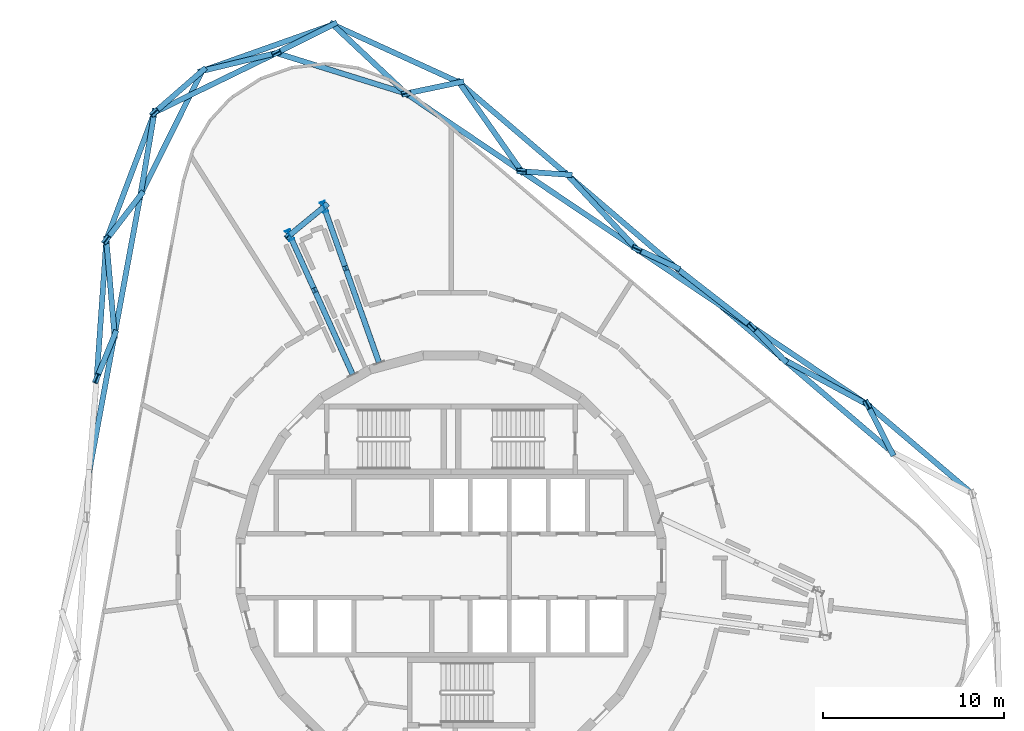
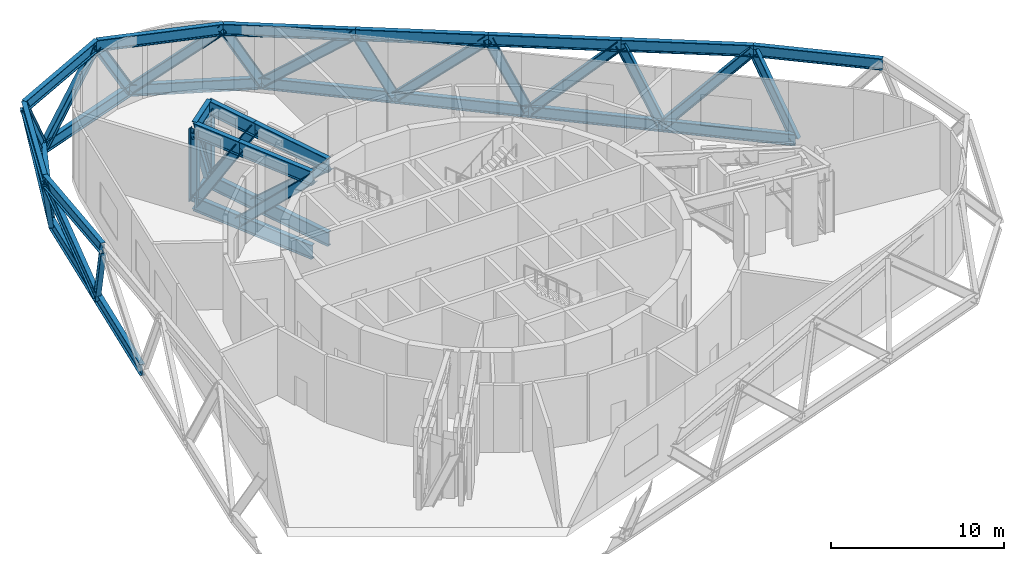
# One storey, part 3 of 12: 52 members.
"""IFC4 building model written with IfcOpenShell, lengths in metres."""

from ifc_helpers import new_model, si_unit, direction, frame, origin, origin_2d, place, context, subcontext, project, spatial, i_section, extrude, material, material_profile, profile_set, type_object, element, save


model = new_model("IFC4")

# Units and contexts
model_context = context("Model", 3, precision=1e-05, world=origin(), true_north=direction((0.0, 1.0)))
body_context = subcontext(model_context, "Body", "Model", "MODEL_VIEW")
ifc_project = project(units=[si_unit("LENGTHUNIT", "METRE"), si_unit("AREAUNIT", "SQUARE_METRE"), si_unit("VOLUMEUNIT", "CUBIC_METRE"), si_unit("PLANEANGLEUNIT", "RADIAN"), si_unit("MASSUNIT", "GRAM", prefix="KILO")], contexts=[model_context])

# Site, building, storey
site_placement = place(None, origin())
site = spatial("IfcSite", under=ifc_project, at=site_placement, CompositionType="ELEMENT")
building_placement = place(site_placement, origin())
building = spatial("IfcBuilding", under=site, at=building_placement, Name="Spindle Arch Residences", CompositionType="ELEMENT")
storey_placement = place(building_placement, frame((0.0, 0.0, 183.199951171875)))
storey = spatial("IfcBuildingStorey", under=building, at=storey_placement, Name="L46", CompositionType="ELEMENT", Elevation=183.199951171875)

# Members
ifc_material_1 = material(Name="Steel S460ML, intumescent coating R 240", Category="steel")
ifc_material_profile_1 = material_profile(ifc_material_1, i_section(OverallWidth=0.302978515625, OverallDepth=0.81396484375, WebThickness=0.02099609375, FlangeThickness=0.0400390625, FilletRadius=0.030029296875, at=origin_2d()), Name="HEM 800")
ifc_profile_set_1 = profile_set([ifc_material_profile_1], Name="Steel S460ML, intumescent coating R 240")
member_type_1 = type_object("IfcMemberType", Name="Belt truss chord HEM 800", PredefinedType="CHORD", material=ifc_profile_set_1)
member_1_placement = place(storey_placement, frame((24.357666015625, 6.330810546875, -0.85693359375), z_axis=(-0.76041522011, 0.649437212535, 0.0), x_axis=(-0.649437212535, -0.76041522011, 0.0)))
element("IfcMember", 1, at=member_1_placement, inside=storey, type_object=member_type_1, Name="Belt truss bottom chord L46.6", PredefinedType="CHORD", context=body_context, shape_type="SweptSolid", body=[
    extrude(i_section(OverallWidth=0.302978515625, OverallDepth=0.81396484375, WebThickness=0.02099609375, FlangeThickness=0.0400390625, FilletRadius=0.030029296875, at=origin_2d()), origin(), (0.0, 0.0, 1.0), 7.8603515625),
])
for number, where, z_axis, x_axis, name in (
    (2, (18.380615234375, 11.435546875, -0.85693359375), (-0.760402119436, 0.649452551582, 0.0), (-0.649452551582, -0.760402119436, 0.0), "Belt truss bottom chord L46.7"),
    (3, (12.40380859375, 16.540283203125, -0.85693359375), (-0.760402119436, 0.649452551582, 0.0), (-0.649452551582, -0.760402119436, 0.0), "Belt truss bottom chord L46.8"),
):
    element("IfcMember", number, at=place(storey_placement, frame(where, z_axis=z_axis, x_axis=x_axis)), inside=storey, type_object=member_type_1, Name=name, PredefinedType="CHORD", context=body_context, shape_type="SweptSolid", body=[
        extrude(i_section(OverallWidth=0.302978515625, OverallDepth=0.81396484375, WebThickness=0.02099609375, FlangeThickness=0.0400390625, FilletRadius=0.030029296875, at=origin_2d()), origin(), (0.0, 0.0, 1.0), 7.860107421875),
    ])
member_2_placement = place(storey_placement, frame((6.427001953125, 21.64501953125, -0.85693359375), z_axis=(-0.760417458811, 0.649434591268, 0.0), x_axis=(-0.649434591268, -0.760417458811, 0.0)))
element("IfcMember", 4, at=member_2_placement, inside=storey, type_object=member_type_1, Name="Belt truss bottom chord L46.9", PredefinedType="CHORD", context=body_context, shape_type="SweptSolid", body=[
    extrude(i_section(OverallWidth=0.302978515625, OverallDepth=0.81396484375, WebThickness=0.02099609375, FlangeThickness=0.0400390625, FilletRadius=0.030029296875, at=origin_2d()), origin(), (0.0, 0.0, 1.0), 7.85986328125),
])
member_3_placement = place(storey_placement, frame((0.4501953125, 26.74951171875, -0.85693359375), z_axis=(-0.909438438692, 0.415838581939, 0.0), x_axis=(-0.415838581939, -0.909438438692, 0.0)))
element("IfcMember", 5, at=member_3_placement, inside=storey, type_object=member_type_1, Name="Belt truss bottom chord L46.10", PredefinedType="CHORD", context=body_context, shape_type="SweptSolid", body=[
    extrude(i_section(OverallWidth=0.302978515625, OverallDepth=0.81396484375, WebThickness=0.02099609375, FlangeThickness=0.0400390625, FilletRadius=0.030029296875, at=origin_2d()), origin(), (0.0, 0.0, 1.0), 7.685791015625),
])
member_4_placement = place(storey_placement, frame((-6.53955078125, 29.945556640625, -0.85693359375), z_axis=(-0.942638085895, -0.333816475058, 0.0), x_axis=(0.333816475058, -0.942638085895, 0.0)))
element("IfcMember", 6, at=member_4_placement, inside=storey, type_object=member_type_1, Name="Belt truss bottom chord L46.11", PredefinedType="CHORD", context=body_context, shape_type="SweptSolid", body=[
    extrude(i_section(OverallWidth=0.302978515625, OverallDepth=0.81396484375, WebThickness=0.02099609375, FlangeThickness=0.0400390625, FilletRadius=0.030029296875, at=origin_2d()), origin(), (0.0, 0.0, 1.0), 7.663330078125),
])
member_5_placement = place(storey_placement, frame((-13.76318359375, 27.387451171875, -0.85693359375), z_axis=(-0.445077626453, -0.895491991271, 0.0), x_axis=(0.895491991271, -0.445077626453, 0.0)))
element("IfcMember", 7, at=member_5_placement, inside=storey, type_object=member_type_1, Name="Belt truss bottom chord L46.12", PredefinedType="CHORD", context=body_context, shape_type="SweptSolid", body=[
    extrude(i_section(OverallWidth=0.302978515625, OverallDepth=0.81396484375, WebThickness=0.02099609375, FlangeThickness=0.0400390625, FilletRadius=0.030029296875, at=origin_2d()), origin(), (0.0, 0.0, 1.0), 7.685546875),
])
for number, where, z_axis, x_axis, name in (
    (8, (-17.183837890625, 20.505126953125, -0.85693359375), (-0.182232738599, -0.98325542408, 0.0), (0.98325542408, -0.182232738599, 0.0), "Belt truss bottom chord L46.13"),
    (9, (-18.6162109375, 12.776611328125, -0.85693359375), (-0.182232738599, -0.98325542408, 0.0), (0.98325542408, -0.182232738599, 0.0), "Belt truss bottom chord L46.14"),
):
    element("IfcMember", number, at=place(storey_placement, frame(where, z_axis=z_axis, x_axis=x_axis)), inside=storey, type_object=member_type_1, Name=name, PredefinedType="CHORD", context=body_context, shape_type="SweptSolid", body=[
        extrude(i_section(OverallWidth=0.302978515625, OverallDepth=0.81396484375, WebThickness=0.02099609375, FlangeThickness=0.0400390625, FilletRadius=0.030029296875, at=origin_2d()), origin(), (0.0, 0.0, 1.0), 7.860107421875),
    ])
member_6_placement = place(storey_placement, frame((28.84228515625, 3.9873046875, 4.343017578125), z_axis=(-0.761793911054, 0.647819447903, 0.0), x_axis=(-0.647819447903, -0.761793911054, 0.0)))
element("IfcMember", 10, at=member_6_placement, inside=storey, type_object=member_type_1, Name="Belt truss top chord L46.5", PredefinedType="CHORD", context=body_context, shape_type="SweptSolid", body=[
    extrude(i_section(OverallWidth=0.302978515625, OverallDepth=0.81396484375, WebThickness=0.02099609375, FlangeThickness=0.0400390625, FilletRadius=0.030029296875, at=origin_2d()), origin(), (0.0, 0.0, 1.0), 7.62353515625),
])
for number, where, z_axis, x_axis, name in (
    (11, (23.03466796875, 8.926025390625, 4.343017578125), (-0.829040654635, 0.559188334072, 0.0), (-0.559188334072, -0.829040654635, 0.0), "Belt truss top chord L46.6"),
    (12, (16.65625, 13.228271484375, 4.343017578125), (-0.829040654635, 0.559188334072, 0.0), (-0.559188334072, -0.829040654635, 0.0), "Belt truss top chord L46.7"),
    (13, (10.27783203125, 17.530517578125, 4.343017578125), (-0.829040654635, 0.559188334072, 0.0), (-0.559188334072, -0.829040654635, 0.0), "Belt truss top chord L46.8"),
    (14, (3.8994140625, 21.832763671875, 4.343017578125), (-0.829040654635, 0.559188334072, 0.0), (-0.559188334072, -0.829040654635, 0.0), "Belt truss top chord L46.9"),
):
    element("IfcMember", number, at=place(storey_placement, frame(where, z_axis=z_axis, x_axis=x_axis)), inside=storey, type_object=member_type_1, Name=name, PredefinedType="CHORD", context=body_context, shape_type="SweptSolid", body=[
        extrude(i_section(OverallWidth=0.302978515625, OverallDepth=0.81396484375, WebThickness=0.02099609375, FlangeThickness=0.0400390625, FilletRadius=0.030029296875, at=origin_2d()), origin(), (0.0, 0.0, 1.0), 7.69384765625),
    ])
member_7_placement = place(storey_placement, frame((-2.47900390625, 26.135009765625, 4.343017578125), z_axis=(-0.954689917857, 0.297602353388, 0.0), x_axis=(-0.297602353388, -0.954689917857, 0.0)))
element("IfcMember", 15, at=member_7_placement, inside=storey, type_object=member_type_1, Name="Belt truss top chord L46.10", PredefinedType="CHORD", context=body_context, shape_type="SweptSolid", body=[
    extrude(i_section(OverallWidth=0.302978515625, OverallDepth=0.81396484375, WebThickness=0.02099609375, FlangeThickness=0.0400390625, FilletRadius=0.030029296875, at=origin_2d()), origin(), (0.0, 0.0, 1.0), 7.5234375),
])
member_8_placement = place(storey_placement, frame((-9.66162109375, 28.3740234375, 4.343017578125), z_axis=(-0.898792504932, -0.438374307047, 0.0), x_axis=(0.438374307047, -0.898792504932, 0.0)))
element("IfcMember", 16, at=member_8_placement, inside=storey, type_object=member_type_1, Name="Belt truss top chord L46.11", PredefinedType="CHORD", context=body_context, shape_type="SweptSolid", body=[
    extrude(i_section(OverallWidth=0.302978515625, OverallDepth=0.81396484375, WebThickness=0.02099609375, FlangeThickness=0.0400390625, FilletRadius=0.030029296875, at=origin_2d()), origin(), (0.0, 0.0, 1.0), 7.509033203125),
])
member_9_placement = place(storey_placement, frame((-16.41064453125, 25.082275390625, 4.343017578125), z_axis=(-0.353277512849, -0.935518572191, 0.0), x_axis=(0.935518572191, -0.353277512849, 0.0)))
element("IfcMember", 17, at=member_9_placement, inside=storey, type_object=member_type_1, Name="Belt truss top chord L46.12", PredefinedType="CHORD", context=body_context, shape_type="SweptSolid", body=[
    extrude(i_section(OverallWidth=0.302978515625, OverallDepth=0.81396484375, WebThickness=0.02099609375, FlangeThickness=0.0400390625, FilletRadius=0.030029296875, at=origin_2d()), origin(), (0.0, 0.0, 1.0), 7.523681640625),
])
member_10_placement = place(storey_placement, frame((-19.068603515625, 18.043701171875, 4.343017578125), z_axis=(-0.069749549772, -0.997564534407, 0.0), x_axis=(0.997564534407, -0.069749549772, 0.0)))
element("IfcMember", 18, at=member_10_placement, inside=storey, type_object=member_type_1, Name="Belt truss top chord L46.13", PredefinedType="CHORD", context=body_context, shape_type="SweptSolid", body=[
    extrude(i_section(OverallWidth=0.302978515625, OverallDepth=0.81396484375, WebThickness=0.02099609375, FlangeThickness=0.0400390625, FilletRadius=0.030029296875, at=origin_2d()), origin(), (0.0, 0.0, 1.0), 7.693603515625),
])
ifc_material_2 = material(Name="Steel S460ML, intumescent coating R 240", Category="steel")
ifc_material_profile_2 = material_profile(ifc_material_2, i_section(OverallWidth=0.304931640625, OverallDepth=0.6201171875, WebThickness=0.02099609375, FlangeThickness=0.0400390625, FilletRadius=0.027099609375, at=origin_2d()), Name="HEM 600")
ifc_profile_set_2 = profile_set([ifc_material_profile_2], Name="Steel S460ML, intumescent coating R 240")
member_type_2 = type_object("IfcMemberType", Name="Belt truss diagonal HEM 600", PredefinedType="BRACE", material=ifc_profile_set_2)
member_11_placement = place(storey_placement, frame((24.357666015625, 6.330810546875, -0.85693359375), z_axis=(-0.221969052414, 0.435418163343, 0.872433815714), x_axis=(-0.890913461408, -0.45417309947, 0.0)))
element("IfcMember", 19, at=member_11_placement, inside=storey, type_object=member_type_2, Name="Belt truss diagonal L46.6.6", PredefinedType="BRACE", context=body_context, shape_type="SweptSolid", body=[
    extrude(i_section(OverallWidth=0.304931640625, OverallDepth=0.6201171875, WebThickness=0.02099609375, FlangeThickness=0.0400390625, FilletRadius=0.027099609375, at=origin_2d()), origin(), (0.0, 0.0, 1.0), 5.960205078125),
])
member_12_placement = place(storey_placement, frame((18.380615234375, 11.435546875, -0.85693359375), z_axis=(0.627567192668, -0.338391815215, 0.701177864798), x_axis=(0.474611881472, 0.880195184016, 0.0)))
element("IfcMember", 20, at=member_12_placement, inside=storey, type_object=member_type_2, Name="Belt truss diagonal L46.6.7", PredefinedType="BRACE", context=body_context, shape_type="SweptSolid", body=[
    extrude(i_section(OverallWidth=0.304931640625, OverallDepth=0.6201171875, WebThickness=0.02099609375, FlangeThickness=0.0400390625, FilletRadius=0.027099609375, at=origin_2d()), origin(), (0.0, 0.0, 1.0), 7.416015625),
])
member_13_placement = place(storey_placement, frame((18.380615234375, 11.435546875, -0.85693359375), z_axis=(-0.29914728825, 0.311006447348, 0.902100820109), x_axis=(-0.720714233411, -0.693232279801, 0.0)))
element("IfcMember", 21, at=member_13_placement, inside=storey, type_object=member_type_2, Name="Belt truss diagonal L46.7.7", PredefinedType="BRACE", context=body_context, shape_type="SweptSolid", body=[
    extrude(i_section(OverallWidth=0.304931640625, OverallDepth=0.6201171875, WebThickness=0.02099609375, FlangeThickness=0.0400390625, FilletRadius=0.027099609375, at=origin_2d()), origin(), (0.0, 0.0, 1.0), 5.76416015625),
])
member_14_placement = place(storey_placement, frame((12.40380859375, 16.540283203125, -0.85693359375), z_axis=(0.567789308864, -0.442222400049, 0.694301555259), x_axis=(0.614467288463, 0.788942299163, 0.0)))
element("IfcMember", 22, at=member_14_placement, inside=storey, type_object=member_type_2, Name="Belt truss diagonal L46.7.8", PredefinedType="BRACE", context=body_context, shape_type="SweptSolid", body=[
    extrude(i_section(OverallWidth=0.304931640625, OverallDepth=0.6201171875, WebThickness=0.02099609375, FlangeThickness=0.0400390625, FilletRadius=0.027099609375, at=origin_2d()), origin(), (0.0, 0.0, 1.0), 7.489501953125),
])
member_15_placement = place(storey_placement, frame((12.40380859375, 16.540283203125, -0.85693359375), z_axis=(-0.372692638752, 0.173592253419, 0.911573324847), x_axis=(-0.42222428813, -0.906491395719, 0.0)))
element("IfcMember", 23, at=member_15_placement, inside=storey, type_object=member_type_2, Name="Belt truss diagonal L46.8.8", PredefinedType="BRACE", context=body_context, shape_type="SweptSolid", body=[
    extrude(i_section(OverallWidth=0.304931640625, OverallDepth=0.6201171875, WebThickness=0.02099609375, FlangeThickness=0.0400390625, FilletRadius=0.027099609375, at=origin_2d()), origin(), (0.0, 0.0, 1.0), 5.704345703125),
])
member_16_placement = place(storey_placement, frame((6.427001953125, 21.64501953125, -0.85693359375), z_axis=(0.502197891601, -0.536584103668, 0.678140676676), x_axis=(0.73011382719, 0.683325544192, 0.0)))
element("IfcMember", 24, at=member_16_placement, inside=storey, type_object=member_type_2, Name="Belt truss diagonal L46.8.9", PredefinedType="BRACE", context=body_context, shape_type="SweptSolid", body=[
    extrude(i_section(OverallWidth=0.304931640625, OverallDepth=0.6201171875, WebThickness=0.02099609375, FlangeThickness=0.0400390625, FilletRadius=0.027099609375, at=origin_2d()), origin(), (0.0, 0.0, 1.0), 7.66796875),
])
member_17_placement = place(storey_placement, frame((6.427001953125, 21.64501953125, -0.85693359375), z_axis=(-0.436939160818, 0.032454961332, 0.898905359439), x_axis=(-0.074073927078, -0.997252752981, 0.0)))
element("IfcMember", 25, at=member_17_placement, inside=storey, type_object=member_type_2, Name="Belt truss diagonal L46.9.9", PredefinedType="BRACE", context=body_context, shape_type="SweptSolid", body=[
    extrude(i_section(OverallWidth=0.304931640625, OverallDepth=0.6201171875, WebThickness=0.02099609375, FlangeThickness=0.0400390625, FilletRadius=0.027099609375, at=origin_2d()), origin(), (0.0, 0.0, 1.0), 5.78466796875),
])
member_18_placement = place(storey_placement, frame((0.4501953125, 26.74951171875, -0.85693359375), z_axis=(0.434178347006, -0.618906974119, 0.654555819145), x_axis=(0.81864520848, 0.574299593098, 0.0)))
element("IfcMember", 26, at=member_18_placement, inside=storey, type_object=member_type_2, Name="Belt truss diagonal L46.9.10", PredefinedType="BRACE", context=body_context, shape_type="SweptSolid", body=[
    extrude(i_section(OverallWidth=0.304931640625, OverallDepth=0.6201171875, WebThickness=0.02099609375, FlangeThickness=0.0400390625, FilletRadius=0.027099609375, at=origin_2d()), origin(), (0.0, 0.0, 1.0), 7.9443359375),
])
member_19_placement = place(storey_placement, frame((0.4501953125, 26.74951171875, -0.85693359375), z_axis=(-0.488218090815, -0.102420814684, 0.866690874834), x_axis=(0.205315664298, -0.978695804627, 0.0)))
element("IfcMember", 27, at=member_19_placement, inside=storey, type_object=member_type_2, Name="Belt truss diagonal L46.10.10", PredefinedType="BRACE", context=body_context, shape_type="SweptSolid", body=[
    extrude(i_section(OverallWidth=0.304931640625, OverallDepth=0.6201171875, WebThickness=0.02099609375, FlangeThickness=0.0400390625, FilletRadius=0.027099609375, at=origin_2d()), origin(), (0.0, 0.0, 1.0), 5.999755859375),
])
member_20_placement = place(storey_placement, frame((-6.53955078125, 29.945556640625, -0.85693359375), z_axis=(0.532956353314, -0.50014326374, 0.682505854332), x_axis=(0.684302727417, 0.729198037058, 0.0)))
element("IfcMember", 28, at=member_20_placement, inside=storey, type_object=member_type_2, Name="Belt truss diagonal L46.10.11", PredefinedType="BRACE", context=body_context, shape_type="SweptSolid", body=[
    extrude(i_section(OverallWidth=0.304931640625, OverallDepth=0.6201171875, WebThickness=0.02099609375, FlangeThickness=0.0400390625, FilletRadius=0.027099609375, at=origin_2d()), origin(), (0.0, 0.0, 1.0), 7.618896484375),
])
member_21_placement = place(storey_placement, frame((-6.53955078125, 29.945556640625, -0.85693359375), z_axis=(-0.498295213293, -0.250823137939, 0.829933511724), x_axis=(0.449614770054, -0.893222569435, 0.0)))
element("IfcMember", 29, at=member_21_placement, inside=storey, type_object=member_type_2, Name="Belt truss diagonal L46.11.11", PredefinedType="BRACE", context=body_context, shape_type="SweptSolid", body=[
    extrude(i_section(OverallWidth=0.304931640625, OverallDepth=0.6201171875, WebThickness=0.02099609375, FlangeThickness=0.0400390625, FilletRadius=0.027099609375, at=origin_2d()), origin(), (0.0, 0.0, 1.0), 6.265625),
])
member_22_placement = place(storey_placement, frame((-13.76318359375, 27.387451171875, -0.85693359375), z_axis=(0.612544558172, 0.147338842832, 0.776582532411), x_axis=(-0.233865413449, 0.972268979446, 0.0)))
element("IfcMember", 30, at=member_22_placement, inside=storey, type_object=member_type_2, Name="Belt truss diagonal L46.11.12", PredefinedType="BRACE", context=body_context, shape_type="SweptSolid", body=[
    extrude(i_section(OverallWidth=0.304931640625, OverallDepth=0.6201171875, WebThickness=0.02099609375, FlangeThickness=0.0400390625, FilletRadius=0.027099609375, at=origin_2d()), origin(), (0.0, 0.0, 1.0), 6.696044921875),
])
member_23_placement = place(storey_placement, frame((-13.76318359375, 27.387451171875, -0.85693359375), z_axis=(-0.421977119016, -0.367420505141, 0.828816917919), x_axis=(0.656671025053, -0.754177144215, 0.0)))
element("IfcMember", 31, at=member_23_placement, inside=storey, type_object=member_type_2, Name="Belt truss diagonal L46.12.12", PredefinedType="BRACE", context=body_context, shape_type="SweptSolid", body=[
    extrude(i_section(OverallWidth=0.304931640625, OverallDepth=0.6201171875, WebThickness=0.02099609375, FlangeThickness=0.0400390625, FilletRadius=0.027099609375, at=origin_2d()), origin(), (0.0, 0.0, 1.0), 6.27392578125),
])
member_24_placement = place(storey_placement, frame((-17.183837890625, 20.505126953125, -0.85693359375), z_axis=(0.110923957561, 0.656647412802, 0.745996012656), x_axis=(-0.986030494998, 0.166564891063, 0.0)))
element("IfcMember", 32, at=member_24_placement, inside=storey, type_object=member_type_2, Name="Belt truss diagonal L46.12.13", PredefinedType="BRACE", context=body_context, shape_type="SweptSolid", body=[
    extrude(i_section(OverallWidth=0.304931640625, OverallDepth=0.6201171875, WebThickness=0.02099609375, FlangeThickness=0.0400390625, FilletRadius=0.027099609375, at=origin_2d()), origin(), (0.0, 0.0, 1.0), 6.970458984375),
])
member_25_placement = place(storey_placement, frame((-17.183837890625, 20.505126953125, -0.85693359375), z_axis=(-0.31132765007, -0.406581006218, 0.858933629383), x_axis=(0.793968729058, -0.607958598326, 0.0)))
element("IfcMember", 33, at=member_25_placement, inside=storey, type_object=member_type_2, Name="Belt truss diagonal L46.13.13", PredefinedType="BRACE", context=body_context, shape_type="SweptSolid", body=[
    extrude(i_section(OverallWidth=0.304931640625, OverallDepth=0.6201171875, WebThickness=0.02099609375, FlangeThickness=0.0400390625, FilletRadius=0.027099609375, at=origin_2d()), origin(), (0.0, 0.0, 1.0), 6.053955078125),
])
member_26_placement = place(storey_placement, frame((-18.6162109375, 12.776611328125, -0.85693359375), z_axis=(-0.061008153484, 0.710302160425, 0.701248063173), x_axis=(-0.996331701363, -0.085575351934, 0.0)))
element("IfcMember", 34, at=member_26_placement, inside=storey, type_object=member_type_2, Name="Belt truss diagonal L46.13.14", PredefinedType="BRACE", context=body_context, shape_type="SweptSolid", body=[
    extrude(i_section(OverallWidth=0.304931640625, OverallDepth=0.6201171875, WebThickness=0.02099609375, FlangeThickness=0.0400390625, FilletRadius=0.027099609375, at=origin_2d()), origin(), (0.0, 0.0, 1.0), 7.415283203125),
])
member_27_placement = place(storey_placement, frame((-18.6162109375, 12.776611328125, -0.85693359375), z_axis=(-0.170078464673, -0.414049325748, 0.894223949412), x_axis=(0.925002158918, -0.379961848081, 0.0)))
element("IfcMember", 35, at=member_27_placement, inside=storey, type_object=member_type_2, Name="Belt truss diagonal L46.14.14", PredefinedType="BRACE", context=body_context, shape_type="SweptSolid", body=[
    extrude(i_section(OverallWidth=0.304931640625, OverallDepth=0.6201171875, WebThickness=0.02099609375, FlangeThickness=0.0400390625, FilletRadius=0.027099609375, at=origin_2d()), origin(), (0.0, 0.0, 1.0), 5.81494140625),
])
ifc_material_3 = material(Name="Steel S460ML, intumescent coating R 240", Category="steel")
ifc_material_profile_3 = material_profile(ifc_material_3, i_section(OverallWidth=0.302001953125, OverallDepth=1.008056640625, WebThickness=0.02099609375, FlangeThickness=0.0400390625, FilletRadius=0.030029296875, at=origin_2d()), Name="HEM 1000")
ifc_profile_set_3 = profile_set([ifc_material_profile_3], Name="Steel S460ML, intumescent coating R 240")
member_type_3 = type_object("IfcMemberType", Name="Transfer truss chord HEM 1000", PredefinedType="CHORD", material=ifc_profile_set_3)
for number, where, z_axis, x_axis, name in (
    (36, (-3.983642578125, 11.24951171875, -0.953857421875), (-0.333792065122, 0.942646729831, 0.0), (-0.942646729831, -0.333792065122, 0.0), "Transfer truss chord L46"),
    (37, (-3.983642578125, 11.24951171875, 4.24609375), (-0.333792065122, 0.942646729831, 0.0), (-0.942646729831, -0.333792065122, 0.0), "Transfer truss chord L46"),
):
    element("IfcMember", number, at=place(storey_placement, frame(where, z_axis=z_axis, x_axis=x_axis)), inside=storey, type_object=member_type_3, Name=name, PredefinedType="CHORD", context=body_context, shape_type="SweptSolid", body=[
        extrude(i_section(OverallWidth=0.302001953125, OverallDepth=1.008056640625, WebThickness=0.02099609375, FlangeThickness=0.0400390625, FilletRadius=0.030029296875, at=origin_2d()), origin(), (0.0, 0.0, 1.0), 5.661865234375),
    ])
for number, where, z_axis, x_axis, name in (
    (38, (-5.87353515625, 16.586669921875, -0.953857421875), (-0.333839327912, 0.942629992701, 0.0), (-0.942629992701, -0.333839327912, 0.0), "Transfer truss chord L46"),
    (39, (-5.87353515625, 16.586669921875, 4.24609375), (-0.333839327912, 0.942629992701, 0.0), (-0.942629992701, -0.333839327912, 0.0), "Transfer truss chord L46"),
):
    element("IfcMember", number, at=place(storey_placement, frame(where, z_axis=z_axis, x_axis=x_axis)), inside=storey, type_object=member_type_3, Name=name, PredefinedType="CHORD", context=body_context, shape_type="SweptSolid", body=[
        extrude(i_section(OverallWidth=0.302001953125, OverallDepth=1.008056640625, WebThickness=0.02099609375, FlangeThickness=0.0400390625, FilletRadius=0.030029296875, at=origin_2d()), origin(), (0.0, 0.0, 1.0), 3.469970703125),
    ])
for number, where, z_axis, x_axis, name in (
    (40, (-7.031982421875, 19.857666015625, -0.953857421875), (-0.772473251274, -0.635047302227, 0.0), (0.635047302227, -0.772473251274, 0.0), "Transfer truss chord L46"),
    (41, (-7.031982421875, 19.857666015625, 4.24609375), (-0.772473251274, -0.635047302227, 0.0), (0.635047302227, -0.772473251274, 0.0), "Transfer truss chord L46"),
):
    element("IfcMember", number, at=place(storey_placement, frame(where, z_axis=z_axis, x_axis=x_axis)), inside=storey, type_object=member_type_3, Name=name, PredefinedType="CHORD", context=body_context, shape_type="SweptSolid", body=[
        extrude(i_section(OverallWidth=0.302001953125, OverallDepth=1.008056640625, WebThickness=0.02099609375, FlangeThickness=0.0400390625, FilletRadius=0.030029296875, at=origin_2d()), origin(), (0.0, 0.0, 1.0), 2.45166015625),
    ])
for number, where, z_axis, x_axis, name in (
    (42, (-5.444580078125, 10.594482421875, -0.953857421875), (-0.411700259386, 0.911319316388, 0.0), (-0.911319316388, -0.411700259386, 0.0), "Transfer truss chord L46"),
    (43, (-5.444580078125, 10.594482421875, 4.24609375), (-0.411700259386, 0.911319316388, 0.0), (-0.911319316388, -0.411700259386, 0.0), "Transfer truss chord L46"),
):
    element("IfcMember", number, at=place(storey_placement, frame(where, z_axis=z_axis, x_axis=x_axis)), inside=storey, type_object=member_type_3, Name=name, PredefinedType="CHORD", context=body_context, shape_type="SweptSolid", body=[
        extrude(i_section(OverallWidth=0.302001953125, OverallDepth=1.008056640625, WebThickness=0.02099609375, FlangeThickness=0.0400390625, FilletRadius=0.030029296875, at=origin_2d()), origin(), (0.0, 0.0, 1.0), 5.24267578125),
    ])
for number, where, z_axis, x_axis, name in (
    (44, (-7.60302734375, 15.372314453125, -0.953857421875), (-0.411643720835, 0.911344856296, 0.0), (-0.911344856296, -0.411643720835, 0.0), "Transfer truss chord L46"),
    (45, (-7.60302734375, 15.372314453125, 4.24609375), (-0.411643720835, 0.911344856296, 0.0), (-0.911344856296, -0.411643720835, 0.0), "Transfer truss chord L46"),
):
    element("IfcMember", number, at=place(storey_placement, frame(where, z_axis=z_axis, x_axis=x_axis)), inside=storey, type_object=member_type_3, Name=name, PredefinedType="CHORD", context=body_context, shape_type="SweptSolid", body=[
        extrude(i_section(OverallWidth=0.302001953125, OverallDepth=1.008056640625, WebThickness=0.02099609375, FlangeThickness=0.0400390625, FilletRadius=0.030029296875, at=origin_2d()), origin(), (0.0, 0.0, 1.0), 3.21337890625),
    ])
ifc_material_4 = material(Name="Steel S460ML, intumescent coating R 240", Category="steel")
ifc_material_profile_4 = material_profile(ifc_material_4, i_section(OverallWidth=0.304931640625, OverallDepth=0.6201171875, WebThickness=0.02099609375, FlangeThickness=0.0400390625, FilletRadius=0.027099609375, at=origin_2d()), Name="HEM 600")
ifc_profile_set_4 = profile_set([ifc_material_profile_4], Name="Steel S460ML, intumescent coating R 240")
member_type_4 = type_object("IfcMemberType", Name="Transfer truss diagonal HEM 600", PredefinedType="BRACE", material=ifc_profile_set_4)
member_28_placement = place(storey_placement, frame((-5.87353515625, 16.586669921875, -0.953857421875), z_axis=(0.24584220676, -0.694271603409, 0.676423351219), x_axis=(0.942646729831, 0.333792065122, 0.0)))
element("IfcMember", 46, at=member_28_placement, inside=storey, type_object=member_type_4, Name="Transfer truss diagonal L46", PredefinedType="BRACE", context=body_context, shape_type="SweptSolid", body=[
    extrude(i_section(OverallWidth=0.304931640625, OverallDepth=0.6201171875, WebThickness=0.02099609375, FlangeThickness=0.0400390625, FilletRadius=0.027099609375, at=origin_2d()), origin(), (0.0, 0.0, 1.0), 7.6875),
])
member_29_placement = place(storey_placement, frame((-7.031982421875, 19.857666015625, -0.953857421875), z_axis=(0.185307905655, -0.523236105367, 0.831796223929), x_axis=(0.942629992701, 0.333839327912, 0.0)))
element("IfcMember", 47, at=member_29_placement, inside=storey, type_object=member_type_4, Name="Transfer truss diagonal L46", PredefinedType="BRACE", context=body_context, shape_type="SweptSolid", body=[
    extrude(i_section(OverallWidth=0.304931640625, OverallDepth=0.6201171875, WebThickness=0.02099609375, FlangeThickness=0.0400390625, FilletRadius=0.027099609375, at=origin_2d()), origin(), (0.0, 0.0, 1.0), 6.25146484375),
])
member_30_placement = place(storey_placement, frame((-7.031982421875, 19.857666015625, -0.953857421875), z_axis=(-0.329419311597, -0.270814354783, 0.904512300851), x_axis=(0.635047302227, -0.772473251274, 0.0)))
element("IfcMember", 48, at=member_30_placement, inside=storey, type_object=member_type_4, Name="Transfer truss diagonal L46", PredefinedType="BRACE", context=body_context, shape_type="SweptSolid", body=[
    extrude(i_section(OverallWidth=0.304931640625, OverallDepth=0.6201171875, WebThickness=0.02099609375, FlangeThickness=0.0400390625, FilletRadius=0.027099609375, at=origin_2d()), origin(), (0.0, 0.0, 1.0), 5.748779296875),
])
member_31_placement = place(storey_placement, frame((-7.60302734375, 15.372314453125, -0.953857421875), z_axis=(0.292307097994, -0.647036523894, 0.704201886684), x_axis=(0.911319316388, 0.411700259386, 0.0)))
element("IfcMember", 49, at=member_31_placement, inside=storey, type_object=member_type_4, Name="Transfer truss diagonal L46", PredefinedType="BRACE", context=body_context, shape_type="SweptSolid", body=[
    extrude(i_section(OverallWidth=0.304931640625, OverallDepth=0.6201171875, WebThickness=0.02099609375, FlangeThickness=0.0400390625, FilletRadius=0.027099609375, at=origin_2d()), origin(), (0.0, 0.0, 1.0), 7.38427734375),
])
member_32_placement = place(storey_placement, frame((-8.92578125, 18.30078125, -0.953857421875), z_axis=(0.216394415536, -0.479079183159, 0.850680076873), x_axis=(0.911344856296, 0.411643720835, 0.0)))
element("IfcMember", 50, at=member_32_placement, inside=storey, type_object=member_type_4, Name="Transfer truss diagonal L46", PredefinedType="BRACE", context=body_context, shape_type="SweptSolid", body=[
    extrude(i_section(OverallWidth=0.304931640625, OverallDepth=0.6201171875, WebThickness=0.02099609375, FlangeThickness=0.0400390625, FilletRadius=0.027099609375, at=origin_2d()), origin(), (0.0, 0.0, 1.0), 6.11279296875),
])
ifc_material_5 = material(Name="Steel S460ML, intumescent coating R 240", Category="steel")
ifc_material_profile_5 = material_profile(ifc_material_5, i_section(OverallWidth=0.300048828125, OverallDepth=0.60009765625, WebThickness=0.015380859375, FlangeThickness=0.030029296875, FilletRadius=0.027099609375, at=origin_2d()), Name="HEB 600")
ifc_profile_set_5 = profile_set([ifc_material_profile_5], Name="Steel S460ML, intumescent coating R 240")
member_type_5 = type_object("IfcMemberType", Name="Transfer truss post HEB 600", PredefinedType="POST", material=ifc_profile_set_5)
member_33_placement = place(storey_placement, frame((-7.031982421875, 19.857666015625, -0.449951171875), z_axis=(0.0, 0.0, 1.0), x_axis=(0.942642162744, 0.333804962541, 0.0)))
element("IfcMember", 51, at=member_33_placement, inside=storey, type_object=member_type_5, Name="Transfer truss post L46", PredefinedType="POST", context=body_context, shape_type="SweptSolid", body=[
    extrude(i_section(OverallWidth=0.300048828125, OverallDepth=0.60009765625, WebThickness=0.015380859375, FlangeThickness=0.030029296875, FilletRadius=0.027099609375, at=origin_2d()), origin(), (0.0, 0.0, 1.0), 4.696044921875),
])
member_34_placement = place(storey_placement, frame((-8.92578125, 18.30078125, -0.953857421875), z_axis=(0.0, 0.0, 1.0), x_axis=(0.911331442378, 0.41167341684, 0.0)))
element("IfcMember", 52, at=member_34_placement, inside=storey, type_object=member_type_5, Name="Transfer truss post L46", PredefinedType="POST", context=body_context, shape_type="SweptSolid", body=[
    extrude(i_section(OverallWidth=0.300048828125, OverallDepth=0.60009765625, WebThickness=0.015380859375, FlangeThickness=0.030029296875, FilletRadius=0.027099609375, at=origin_2d()), origin(), (0.0, 0.0, 1.0), 5.199951171875),
])

save(model, "model.ifc")
